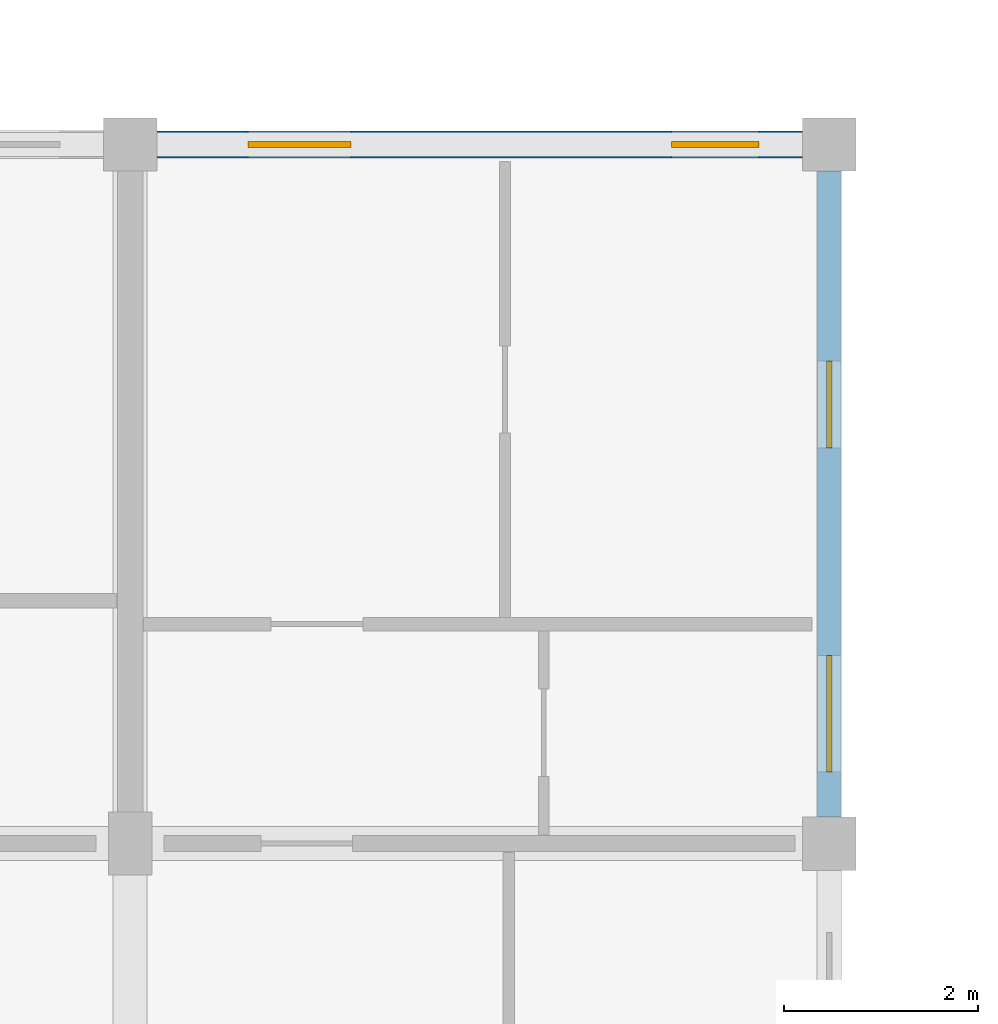
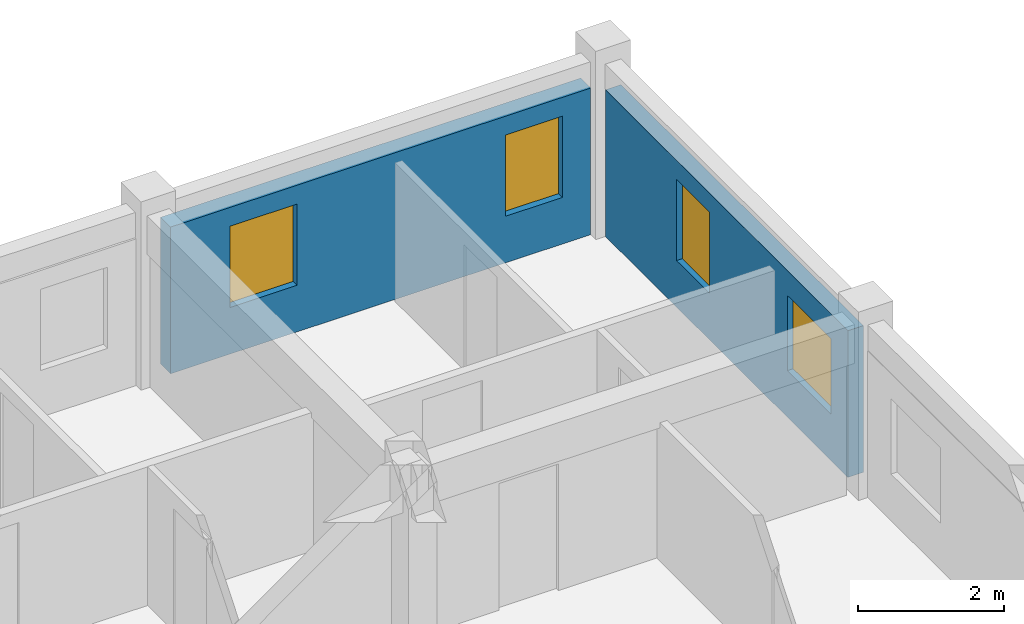
# One storey, part 72 of 77: 4 windows, 2 walls, 4 openings.
"""IFC4 building model written with IfcOpenShell, lengths in metres."""

from ifc_helpers import new_model, si_unit, direction, frame, frame_2d, origin, place, context, subcontext, project, spatial, rectangle, extrude, material, layer, layer_set, type_object, element, fill, save


model = new_model("IFC4")

# Units and contexts
model_context = context("Model", 3, precision=1e-05, world=origin(), true_north=direction((0.0, 1.0)))
body_context = subcontext(model_context, "Body", "Model", "MODEL_VIEW")
ifc_project = project(units=[si_unit("LENGTHUNIT", "METRE"), si_unit("AREAUNIT", "SQUARE_METRE"), si_unit("VOLUMEUNIT", "CUBIC_METRE"), si_unit("PLANEANGLEUNIT", "RADIAN"), si_unit("MASSUNIT", "GRAM", prefix="KILO"), si_unit("THERMODYNAMICTEMPERATUREUNIT", "KELVIN"), si_unit("POWERUNIT", "WATT")], contexts=[model_context])

# Site, building, storey
site_placement = place(None, origin())
site = spatial("IfcSite", under=ifc_project, at=site_placement, CompositionType="ELEMENT")
building_placement = place(site_placement, origin())
building = spatial("IfcBuilding", under=site, at=building_placement, Name="Tavuni Mirador Residences", CompositionType="ELEMENT")
storey_placement = place(building_placement, frame((0.0, 0.0, 10.800048828125)))
storey = spatial("IfcBuildingStorey", under=building, at=storey_placement, Name="L03", CompositionType="ELEMENT", Elevation=10.800048828125)

# Wall, openings, windows
ifc_material_1 = material(Name="Sgraffito lime-rendered precast concrete C40/50", Category="concrete")
ifc_layer_1 = layer(ifc_material_1, 0.2451171875, Name="Sgraffito lime-rendered precast concrete C40/50", Category="concrete")
ifc_layer_set_1 = layer_set([ifc_layer_1], Name="Sgraffito lime-rendered precast concrete C40/50")
wall_type_1 = type_object("IfcWallType", Name="WT-EXT-PC245", PredefinedType="SOLIDWALL", material=ifc_layer_set_1)
wall_1_placement = place(storey_placement, frame((75.60009765625, 165.875, 0.0), z_axis=(0.0, 0.0, 1.0), x_axis=(0.0, 1.0, 0.0)))
wall_1 = element("IfcWall", 1, at=wall_1_placement, inside=storey, type_object=wall_type_1, Name="EW-BLK-C-L03-E03", PredefinedType="SOLIDWALL", context=body_context, shape_type="SweptSolid", body=[
    extrude(rectangle(XDim=6.64990234375, YDim=0.2451171875, at=frame_2d((3.324951171875, 0.0))), origin(), (0.0, 0.0, 1.0), 2.454833984375),
])
opening_1_placement = place(wall_1_placement, frame((0.46240234375, 0.0, 0.780029296875)))
opening_1 = element("IfcOpeningElement", 2, at=opening_1_placement, cuts=wall_1, Name="Opening WN-13", PredefinedType="OPENING", context=body_context, shape_type="SweptSolid", body=[
    extrude(rectangle(XDim=1.199951171875, YDim=1.260009765625, at=frame_2d((0.60009765625, 0.6298828125))), frame((0.0, 0.132568359375, 0.0), z_axis=(0.0, -1.0, 0.0), x_axis=(1.0, 0.0, 0.0)), (0.0, 0.0, 1.0), 0.26513671875),
])
opening_2_placement = place(wall_1_placement, frame((3.797607421875, 0.0, 0.780029296875)))
opening_2 = element("IfcOpeningElement", 3, at=opening_2_placement, cuts=wall_1, Name="Opening WN-17", PredefinedType="OPENING", context=body_context, shape_type="SweptSolid", body=[
    extrude(rectangle(XDim=0.89990234375, YDim=1.360107421875, at=frame_2d((0.449951171875, 0.68017578125))), frame((0.0, 0.132568359375, 0.0), z_axis=(0.0, -1.0, 0.0), x_axis=(1.0, 0.0, 0.0)), (0.0, 0.0, 1.0), 0.26513671875),
])
ifc_material_2 = material(Name="Laminated solar-control glass", Category="glass")
window_type_1 = type_object("IfcWindowType", Name="WNT-13", PartitioningType="SINGLE_PANEL", PredefinedType="WINDOW", material=ifc_material_2)
window_1_placement = place(opening_1_placement, origin())
window_1 = element("IfcWindow", 4, at=window_1_placement, inside=storey, type_object=window_type_1, Name="WIN-0971", OverallHeight=1.260009765625, OverallWidth=1.199951171875, PartitioningType="SINGLE_PANEL", PredefinedType="WINDOW", context=body_context, shape_type="SweptSolid", body=[
    extrude(rectangle(XDim=1.199951171875, YDim=1.260009765625, at=frame_2d((0.60009765625, 0.6298828125))), frame((0.0, 0.030029296875, 0.0), z_axis=(0.0, -1.0, 0.0), x_axis=(1.0, 0.0, 0.0)), (0.0, 0.0, 1.0), 0.06005859375),
])
fill(opening_1, window_1)
window_type_2 = type_object("IfcWindowType", Name="WNT-17", PartitioningType="SINGLE_PANEL", PredefinedType="WINDOW", material=ifc_material_2)
window_2_placement = place(opening_2_placement, origin())
window_2 = element("IfcWindow", 5, at=window_2_placement, inside=storey, type_object=window_type_2, Name="WIN-0972", OverallHeight=1.360107421875, OverallWidth=0.89990234375, PartitioningType="SINGLE_PANEL", PredefinedType="WINDOW", context=body_context, shape_type="SweptSolid", body=[
    extrude(rectangle(XDim=0.89990234375, YDim=1.360107421875, at=frame_2d((0.449951171875, 0.68017578125))), frame((0.0, 0.030029296875, 0.0), z_axis=(0.0, -1.0, 0.0), x_axis=(1.0, 0.0, 0.0)), (0.0, 0.0, 1.0), 0.06005859375),
])
fill(opening_2, window_2)

ifc_layer_2 = layer(ifc_material_1, 0.27490234375, Name="Sgraffito lime-rendered precast concrete C40/50", Category="concrete")
ifc_layer_set_2 = layer_set([ifc_layer_2], Name="Sgraffito lime-rendered precast concrete C40/50")
wall_type_2 = type_object("IfcWallType", Name="WT-EXT-PC275", PredefinedType="SOLIDWALL", material=ifc_layer_set_2)
wall_2_placement = place(storey_placement, frame((75.324951171875, 172.800048828125, 0.0), z_axis=(0.0, 0.0, 1.0), x_axis=(-1.0, 0.0, 0.0)))
wall_2 = element("IfcWall", 6, at=wall_2_placement, inside=storey, type_object=wall_type_2, Name="EW-BLK-C-L03-N08", PredefinedType="SOLIDWALL", context=body_context, shape_type="SweptSolid", body=[
    extrude(rectangle(XDim=6.64990234375, YDim=0.27490234375, at=frame_2d((3.324951171875, 0.0))), origin(), (0.0, 0.0, 1.0), 2.454833984375),
])
opening_3_placement = place(wall_2_placement, frame((0.449951171875, 0.0, 0.780029296875)))
opening_3 = element("IfcOpeningElement", 7, at=opening_3_placement, cuts=wall_2, Name="Opening WN-17", PredefinedType="OPENING", context=body_context, shape_type="SweptSolid", body=[
    extrude(rectangle(XDim=0.89990234375, YDim=1.360107421875, at=frame_2d((0.449951171875, 0.68017578125))), frame((0.0, 0.1474609375, 0.0), z_axis=(0.0, -1.0, 0.0), x_axis=(1.0, 0.0, 0.0)), (0.0, 0.0, 1.0), 0.294921875),
])
opening_4_placement = place(wall_2_placement, frame((4.64990234375, 0.0, 0.780029296875)))
opening_4 = element("IfcOpeningElement", 8, at=opening_4_placement, cuts=wall_2, Name="Opening WN-19", PredefinedType="OPENING", context=body_context, shape_type="SweptSolid", body=[
    extrude(rectangle(XDim=1.06005859375, YDim=1.360107421875, at=frame_2d((0.530029296875, 0.68017578125))), frame((0.0, 0.1474609375, 0.0), z_axis=(0.0, -1.0, 0.0), x_axis=(1.0, 0.0, 0.0)), (0.0, 0.0, 1.0), 0.294921875),
])
window_3_placement = place(opening_3_placement, origin())
window_3 = element("IfcWindow", 9, at=window_3_placement, inside=storey, type_object=window_type_2, Name="WIN-0973", OverallHeight=1.360107421875, OverallWidth=0.89990234375, PartitioningType="SINGLE_PANEL", PredefinedType="WINDOW", context=body_context, shape_type="SweptSolid", body=[
    extrude(rectangle(XDim=0.89990234375, YDim=1.360107421875, at=frame_2d((0.449951171875, 0.68017578125))), frame((0.0, 0.030029296875, 0.0), z_axis=(0.0, -1.0, 0.0), x_axis=(1.0, 0.0, 0.0)), (0.0, 0.0, 1.0), 0.06005859375),
])
fill(opening_3, window_3)
window_type_3 = type_object("IfcWindowType", Name="WNT-19", PartitioningType="SINGLE_PANEL", PredefinedType="WINDOW", material=ifc_material_2)
window_4_placement = place(opening_4_placement, origin())
window_4 = element("IfcWindow", 10, at=window_4_placement, inside=storey, type_object=window_type_3, Name="WIN-0974", OverallHeight=1.360107421875, OverallWidth=1.06005859375, PartitioningType="SINGLE_PANEL", PredefinedType="WINDOW", context=body_context, shape_type="SweptSolid", body=[
    extrude(rectangle(XDim=1.06005859375, YDim=1.360107421875, at=frame_2d((0.530029296875, 0.68017578125))), frame((0.0, 0.030029296875, 0.0), z_axis=(0.0, -1.0, 0.0), x_axis=(1.0, 0.0, 0.0)), (0.0, 0.0, 1.0), 0.06005859375),
])
fill(opening_4, window_4)

save(model, "model.ifc")
